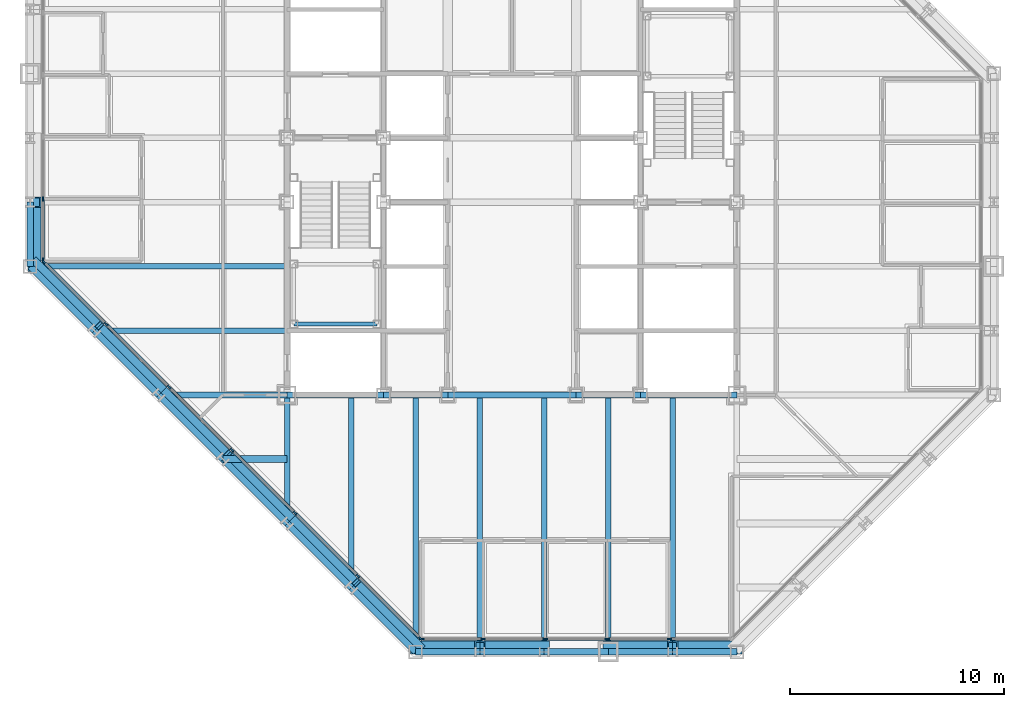
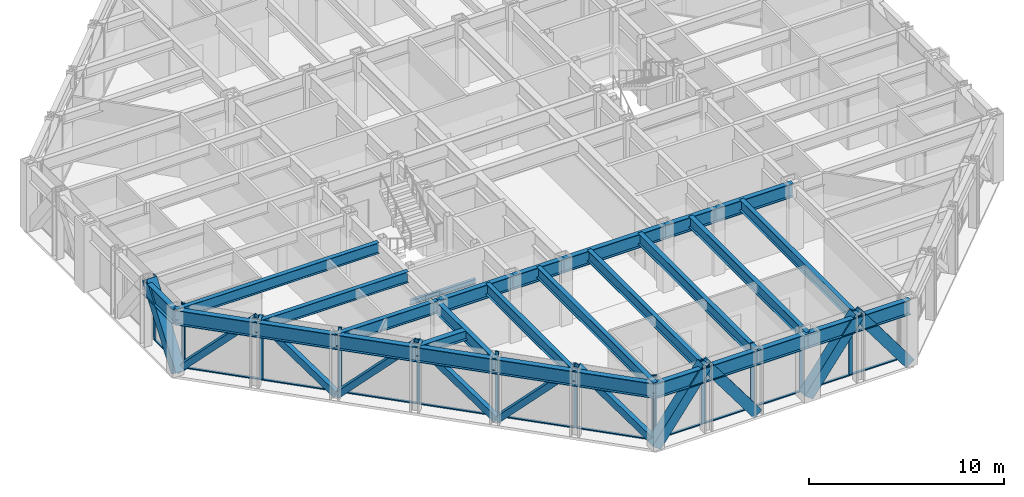
# One storey, part 4 of 15: 37 members, 29 beams, 3 elements without a shape of their own.
"""IFC4 building model written with IfcOpenShell, lengths in metres."""

from ifc_helpers import new_model, si_unit, direction, frame, origin, origin_2d, place, context, subcontext, project, spatial, rectangle, hollow_rectangle, i_section, extrude, material, layer, layer_set, material_profile, profile_set, type_object, element, aggregate, save


model = new_model("IFC4")

# Units and contexts
model_context = context("Model", 3, precision=1e-05, world=origin(), true_north=direction((0.0, 1.0)))
body_context = subcontext(model_context, "Body", "Model", "MODEL_VIEW")
ifc_project = project(units=[si_unit("LENGTHUNIT", "METRE"), si_unit("AREAUNIT", "SQUARE_METRE"), si_unit("VOLUMEUNIT", "CUBIC_METRE"), si_unit("PLANEANGLEUNIT", "RADIAN"), si_unit("MASSUNIT", "GRAM", prefix="KILO")], contexts=[model_context])

# Site, building, storey
site_placement = place(None, origin())
site = spatial("IfcSite", under=ifc_project, at=site_placement, CompositionType="ELEMENT")
building_placement = place(site_placement, origin())
building = spatial("IfcBuilding", under=site, at=building_placement, Name="Chuquiago Exchange Tower", CompositionType="ELEMENT")
storey_placement = place(building_placement, frame((0.0, 0.0, 184.5)))
storey = spatial("IfcBuildingStorey", under=building, at=storey_placement, Name="L40", CompositionType="ELEMENT", Elevation=184.5)

# Beams
ifc_material_1 = material(Name="Steel ASTM A992", Category="steel")
ifc_material_profile_1 = material_profile(ifc_material_1, i_section(OverallWidth=0.25390625, OverallDepth=0.683349609375, WebThickness=0.012451171875, FlangeThickness=0.018798828125, at=origin_2d()), Name="W27X94")
ifc_profile_set_1 = profile_set([ifc_material_profile_1], Name="Steel ASTM A992")
beam_type_1 = type_object("IfcBeamType", Name="B1 W27X94", PredefinedType="BEAM", material=ifc_profile_set_1)
beam_1_placement = place(storey_placement, frame((15.0, 12.0, 3.698486328125), z_axis=(0.0, -1.0, 0.0), x_axis=(1.0, 0.0, 0.0)))
element("IfcBeam", 1, at=beam_1_placement, inside=storey, type_object=beam_type_1, Name="FB-L41-infill-15_12-15_3-0", PredefinedType="BEAM", context=body_context, shape_type="SweptSolid", body=[
    extrude(i_section(OverallWidth=0.25390625, OverallDepth=0.683349609375, WebThickness=0.012451171875, FlangeThickness=0.018798828125, at=origin_2d()), origin(), (0.0, 0.0, 1.0), 9.0),
])
for number, where, z_axis, x_axis, name in (
    (2, (18.0, 12.0, 3.698486328125), (0.0, -1.0, 0.0), (1.0, 0.0, 0.0), "FB-L41-infill-18_12-18_-0-0"),
    (3, (21.0, 12.0, 3.698486328125), (0.0, -1.0, 0.0), (1.0, 0.0, 0.0), "FB-L41-infill-21_12-21_-0-0"),
    (4, (24.0, 12.0, 3.698486328125), (0.0, -1.0, 0.0), (1.0, 0.0, 0.0), "FB-L41-infill-24_12-24_-0-0"),
    (5, (27.0, 12.0, 3.698486328125), (0.0, -1.0, 0.0), (1.0, 0.0, 0.0), "FB-L41-infill-27_12-27_-0-0"),
    (6, (30.0, 12.0, 3.698486328125), (0.0, -1.0, 0.0), (1.0, 0.0, 0.0), "FB-L41-infill-30_12-30_-0-0"),
):
    element("IfcBeam", number, at=place(storey_placement, frame(where, z_axis=z_axis, x_axis=x_axis)), inside=storey, type_object=beam_type_1, Name=name, PredefinedType="BEAM", context=body_context, shape_type="SweptSolid", body=[
        extrude(i_section(OverallWidth=0.25390625, OverallDepth=0.683349609375, WebThickness=0.012451171875, FlangeThickness=0.018798828125, at=origin_2d()), origin(), (0.0, 0.0, 1.0), 12.0),
    ])
beam_2_placement = place(storey_placement, frame((12.0, 15.0, 3.698486328125), z_axis=(-1.0, 0.0, 0.0), x_axis=(0.0, -1.0, 0.0)))
element("IfcBeam", 7, at=beam_2_placement, inside=storey, type_object=beam_type_1, Name="FB-L41-infill-12_15-3_15-0", PredefinedType="BEAM", context=body_context, shape_type="SweptSolid", body=[
    extrude(i_section(OverallWidth=0.25390625, OverallDepth=0.683349609375, WebThickness=0.012451171875, FlangeThickness=0.018798828125, at=origin_2d()), origin(), (0.0, 0.0, 1.0), 9.0),
])
beam_3_placement = place(storey_placement, frame((12.0, 18.0, 3.698486328125), z_axis=(-1.0, 0.0, 0.0), x_axis=(0.0, -1.0, 0.0)))
element("IfcBeam", 8, at=beam_3_placement, inside=storey, type_object=beam_type_1, Name="FB-L41-infill-12_18--0_18-0", PredefinedType="BEAM", context=body_context, shape_type="SweptSolid", body=[
    extrude(i_section(OverallWidth=0.25390625, OverallDepth=0.683349609375, WebThickness=0.012451171875, FlangeThickness=0.018798828125, at=origin_2d()), origin(), (0.0, 0.0, 1.0), 12.0),
])
ifc_material_2 = material(Name="Steel ASTM A992", Category="steel")
ifc_material_profile_2 = material_profile(ifc_material_2, i_section(OverallWidth=0.3251953125, OverallDepth=0.612060546875, WebThickness=0.0126953125, FlangeThickness=0.01904296875, at=origin_2d()), Name="W24X104")
ifc_profile_set_2 = profile_set([ifc_material_profile_2], Name="Steel ASTM A992")
beam_type_2 = type_object("IfcBeamType", Name="B2 W24X104", PredefinedType="BEAM", material=ifc_profile_set_2)
beam_4_placement = place(storey_placement, frame((12.0, 9.0, 3.73388671875), z_axis=(-1.0, 0.0, 0.0), x_axis=(0.0, -1.0, 0.0)))
element("IfcBeam", 9, at=beam_4_placement, inside=storey, type_object=beam_type_2, Name="FB-L41-corner-12_9-9_9-0", PredefinedType="BEAM", context=body_context, shape_type="SweptSolid", body=[
    extrude(i_section(OverallWidth=0.3251953125, OverallDepth=0.612060546875, WebThickness=0.0126953125, FlangeThickness=0.01904296875, at=origin_2d()), origin(), (0.0, 0.0, 1.0), 3.0),
])
ifc_material_3 = material(Name="Steel ASTM A992", Category="steel")
ifc_material_profile_3 = material_profile(ifc_material_3, i_section(OverallWidth=0.2919921875, OverallDepth=0.8583984375, WebThickness=0.01708984375, FlangeThickness=0.031005859375, at=origin_2d()), Name="W33X169")
ifc_profile_set_3 = profile_set([ifc_material_profile_3], Name="Steel ASTM A992")
beam_type_3 = type_object("IfcBeamType", Name="B3 W33X169", PredefinedType="BEAM", material=ifc_profile_set_3)
beam_5_placement = place(storey_placement, frame((12.0, 12.0, 3.610595703125), z_axis=(1.0, 0.0, 0.0), x_axis=(0.0, 1.0, 0.0)))
element("IfcBeam", 10, at=beam_5_placement, inside=storey, type_object=beam_type_3, Name="CB-L41-12_12-16.5_12", PredefinedType="BEAM", context=body_context, shape_type="SweptSolid", body=[
    extrude(i_section(OverallWidth=0.2919921875, OverallDepth=0.8583984375, WebThickness=0.01708984375, FlangeThickness=0.031005859375, at=origin_2d()), origin(), (0.0, 0.0, 1.0), 4.5),
])
beam_6_placement = place(storey_placement, frame((16.5, 12.0, 3.610595703125), z_axis=(1.0, 0.0, 0.0), x_axis=(0.0, 1.0, 0.0)))
element("IfcBeam", 11, at=beam_6_placement, inside=storey, type_object=beam_type_3, Name="CB-L41-16.5_12-19.5_12", PredefinedType="BEAM", context=body_context, shape_type="SweptSolid", body=[
    extrude(i_section(OverallWidth=0.2919921875, OverallDepth=0.8583984375, WebThickness=0.01708984375, FlangeThickness=0.031005859375, at=origin_2d()), origin(), (0.0, 0.0, 1.0), 3.0),
])
beam_7_placement = place(storey_placement, frame((19.5, 12.0, 3.610595703125), z_axis=(1.0, 0.0, 0.0), x_axis=(0.0, 1.0, 0.0)))
element("IfcBeam", 12, at=beam_7_placement, inside=storey, type_object=beam_type_3, Name="CB-L41-19.5_12-25.5_12", PredefinedType="BEAM", context=body_context, shape_type="SweptSolid", body=[
    extrude(i_section(OverallWidth=0.2919921875, OverallDepth=0.8583984375, WebThickness=0.01708984375, FlangeThickness=0.031005859375, at=origin_2d()), origin(), (0.0, 0.0, 1.0), 6.0),
])
beam_8_placement = place(storey_placement, frame((25.5, 12.0, 3.610595703125), z_axis=(1.0, 0.0, 0.0), x_axis=(0.0, 1.0, 0.0)))
element("IfcBeam", 13, at=beam_8_placement, inside=storey, type_object=beam_type_3, Name="CB-L41-25.5_12-28.5_12", PredefinedType="BEAM", context=body_context, shape_type="SweptSolid", body=[
    extrude(i_section(OverallWidth=0.2919921875, OverallDepth=0.8583984375, WebThickness=0.01708984375, FlangeThickness=0.031005859375, at=origin_2d()), origin(), (0.0, 0.0, 1.0), 3.0),
])
beam_9_placement = place(storey_placement, frame((28.5, 12.0, 3.610595703125), z_axis=(1.0, 0.0, 0.0), x_axis=(0.0, 1.0, 0.0)))
element("IfcBeam", 14, at=beam_9_placement, inside=storey, type_object=beam_type_3, Name="CB-L41-28.5_12-33_12", PredefinedType="BEAM", context=body_context, shape_type="SweptSolid", body=[
    extrude(i_section(OverallWidth=0.2919921875, OverallDepth=0.8583984375, WebThickness=0.01708984375, FlangeThickness=0.031005859375, at=origin_2d()), origin(), (0.0, 0.0, 1.0), 4.5),
])

# Curtain wall, members
ifc_material_4 = material(Name="Aluminium curtain wall system", Category="aluminium")
ifc_layer_1 = layer(ifc_material_4, 0.22509765625)
ifc_layer_set_1 = layer_set([ifc_layer_1], Name="CW2 office curtain wall")
curtain_wall_type_1 = type_object("IfcCurtainWallType", Name="CW2 office curtain wall", PredefinedType="NOTDEFINED", material=ifc_layer_set_1)
curtain_wall_1_placement = place(storey_placement, origin())
curtain_wall_1 = element("IfcCurtainWall", 15, at=curtain_wall_1_placement, inside=storey, type_object=curtain_wall_type_1, Name="CW2 curtain wall L40", PredefinedType="NOTDEFINED")
ifc_material_5 = material(Name="Aluminium mullion, pale anodised", Category="aluminium")
ifc_material_profile_4 = material_profile(ifc_material_5, rectangle(XDim=0.06494140625, YDim=0.22509765625, at=origin_2d()), Name="AL 65x225")
ifc_profile_set_4 = profile_set([ifc_material_profile_4], Name="Aluminium mullion, pale anodised")
member_type_1 = type_object("IfcMemberType", Name="CW2-M mullion 65x225", PredefinedType="MULLION", material=ifc_profile_set_4)
member_1_placement = place(storey_placement, frame((18.281005859375, 0.60009765625, 0.0), z_axis=(0.0, 0.0, 1.0), x_axis=(0.0, 1.0, 0.0)))
member_1 = element("IfcMember", 16, at=member_1_placement, type_object=member_type_1, Name="CW2 mullion 1", PredefinedType="MULLION", context=body_context, shape_type="SweptSolid", body=[
    extrude(rectangle(XDim=0.06494140625, YDim=0.22509765625, at=origin_2d()), origin(), (0.0, 0.0, 1.0), 4.0400390625),
])
member_2_placement = place(storey_placement, frame((21.149169921875, 0.60009765625, 0.0), z_axis=(0.0, 0.0, 1.0), x_axis=(0.0, 1.0, 0.0)))
member_2 = element("IfcMember", 17, at=member_2_placement, type_object=member_type_1, Name="CW2 mullion 2", PredefinedType="MULLION", context=body_context, shape_type="SweptSolid", body=[
    extrude(rectangle(XDim=0.06494140625, YDim=0.22509765625, at=origin_2d()), origin(), (0.0, 0.0, 1.0), 4.0400390625),
])
member_3_placement = place(storey_placement, frame((24.0498046875, 0.60009765625, 0.0), z_axis=(0.0, 0.0, 1.0), x_axis=(0.0, 1.0, 0.0)))
member_3 = element("IfcMember", 18, at=member_3_placement, type_object=member_type_1, Name="CW2 mullion 3", PredefinedType="MULLION", context=body_context, shape_type="SweptSolid", body=[
    extrude(rectangle(XDim=0.06494140625, YDim=0.22509765625, at=origin_2d()), origin(), (0.0, 0.0, 1.0), 4.0400390625),
])
member_4_placement = place(storey_placement, frame((26.9501953125, 0.60009765625, 0.0), z_axis=(0.0, 0.0, 1.0), x_axis=(0.0, 1.0, 0.0)))
member_4 = element("IfcMember", 19, at=member_4_placement, type_object=member_type_1, Name="CW2 mullion 4", PredefinedType="MULLION", context=body_context, shape_type="SweptSolid", body=[
    extrude(rectangle(XDim=0.06494140625, YDim=0.22509765625, at=origin_2d()), origin(), (0.0, 0.0, 1.0), 4.0400390625),
])
member_5_placement = place(storey_placement, frame((29.850830078125, 0.60009765625, 0.0), z_axis=(0.0, 0.0, 1.0), x_axis=(0.0, 1.0, 0.0)))
member_5 = element("IfcMember", 20, at=member_5_placement, type_object=member_type_1, Name="CW2 mullion 5", PredefinedType="MULLION", context=body_context, shape_type="SweptSolid", body=[
    extrude(rectangle(XDim=0.06494140625, YDim=0.22509765625, at=origin_2d()), origin(), (0.0, 0.0, 1.0), 4.0400390625),
])

curtain_wall_2_placement = place(storey_placement, origin())
curtain_wall_2 = element("IfcCurtainWall", 21, at=curtain_wall_2_placement, inside=storey, type_object=curtain_wall_type_1, Name="CW2 curtain wall L40", PredefinedType="NOTDEFINED")
member_6_placement = place(storey_placement, frame((0.60009765625, 21.149169921875, 0.0), z_axis=(0.0, 0.0, 1.0), x_axis=(1.0, 0.0, 0.0)))
member_6 = element("IfcMember", 22, at=member_6_placement, type_object=member_type_1, Name="CW2 mullion 5", PredefinedType="MULLION", context=body_context, shape_type="SweptSolid", body=[
    extrude(rectangle(XDim=0.06494140625, YDim=0.22509765625, at=origin_2d()), origin(), (0.0, 0.0, 1.0), 4.0400390625),
])
member_7_placement = place(storey_placement, frame((0.60009765625, 18.281005859375, 0.0), z_axis=(0.0, 0.0, 1.0), x_axis=(1.0, 0.0, 0.0)))
member_7 = element("IfcMember", 23, at=member_7_placement, type_object=member_type_1, Name="CW2 mullion 6", PredefinedType="MULLION", context=body_context, shape_type="SweptSolid", body=[
    extrude(rectangle(XDim=0.06494140625, YDim=0.22509765625, at=origin_2d()), origin(), (0.0, 0.0, 1.0), 4.0400390625),
])

# Member
ifc_material_6 = material(Name="Aluminium transom, pale anodised", Category="aluminium")
ifc_material_profile_5 = material_profile(ifc_material_6, rectangle(XDim=0.139892578125, YDim=0.06494140625, at=origin_2d()), Name="AL 140x65")
ifc_profile_set_5 = profile_set([ifc_material_profile_5], Name="Aluminium transom, pale anodised")
member_type_2 = type_object("IfcMemberType", Name="CW2-T transom 65x140", PredefinedType="MULLION", material=ifc_profile_set_5)
member_8_placement = place(storey_placement, frame((18.3134765625, 0.60009765625, 0.032470703125), z_axis=(1.0, 0.0, 0.0), x_axis=(0.0, 1.0, 0.0)))
member_8 = element("IfcMember", 24, at=member_8_placement, type_object=member_type_2, Name="CW2 transom 1.1", PredefinedType="MULLION", context=body_context, shape_type="SweptSolid", body=[
    extrude(rectangle(XDim=0.139892578125, YDim=0.06494140625, at=origin_2d()), origin(), (0.0, 0.0, 1.0), 2.80322265625),
])

member_9_placement = place(storey_placement, frame((21.181640625, 0.60009765625, 0.032470703125), z_axis=(1.0, 0.0, 0.0), x_axis=(0.0, 1.0, 0.0)))
member_9 = element("IfcMember", 25, at=member_9_placement, type_object=member_type_2, Name="CW2 transom 2.1", PredefinedType="MULLION", context=body_context, shape_type="SweptSolid", body=[
    extrude(rectangle(XDim=0.139892578125, YDim=0.06494140625, at=origin_2d()), origin(), (0.0, 0.0, 1.0), 2.83544921875),
])

member_10_placement = place(storey_placement, frame((24.082275390625, 0.60009765625, 0.032470703125), z_axis=(1.0, 0.0, 0.0), x_axis=(0.0, 1.0, 0.0)))
member_10 = element("IfcMember", 26, at=member_10_placement, type_object=member_type_2, Name="CW2 transom 3.1", PredefinedType="MULLION", context=body_context, shape_type="SweptSolid", body=[
    extrude(rectangle(XDim=0.139892578125, YDim=0.06494140625, at=origin_2d()), origin(), (0.0, 0.0, 1.0), 2.83544921875),
])

member_11_placement = place(storey_placement, frame((26.98291015625, 0.60009765625, 0.032470703125), z_axis=(1.0, 0.0, 0.0), x_axis=(0.0, 1.0, 0.0)))
member_11 = element("IfcMember", 27, at=member_11_placement, type_object=member_type_2, Name="CW2 transom 4.1", PredefinedType="MULLION", context=body_context, shape_type="SweptSolid", body=[
    extrude(rectangle(XDim=0.139892578125, YDim=0.06494140625, at=origin_2d()), origin(), (0.0, 0.0, 1.0), 2.83544921875),
])

member_12_placement = place(storey_placement, frame((29.88330078125, 0.60009765625, 0.032470703125), z_axis=(1.0, 0.0, 0.0), x_axis=(0.0, 1.0, 0.0)))
member_12 = element("IfcMember", 28, at=member_12_placement, type_object=member_type_2, Name="CW2 transom 5.1", PredefinedType="MULLION", context=body_context, shape_type="SweptSolid", body=[
    extrude(rectangle(XDim=0.139892578125, YDim=0.06494140625, at=origin_2d()), origin(), (0.0, 0.0, 1.0), 2.80322265625),
])

aggregate(curtain_wall_1, [member_1, member_2, member_3, member_4, member_5, member_8, member_9, member_10, member_11, member_12])

member_13_placement = place(storey_placement, frame((0.60009765625, 21.11669921875, 0.032470703125), z_axis=(0.0, -1.0, 0.0), x_axis=(1.0, 0.0, 0.0)))
member_13 = element("IfcMember", 29, at=member_13_placement, type_object=member_type_2, Name="CW2 transom 5.1", PredefinedType="MULLION", context=body_context, shape_type="SweptSolid", body=[
    extrude(rectangle(XDim=0.139892578125, YDim=0.06494140625, at=origin_2d()), origin(), (0.0, 0.0, 1.0), 2.80322265625),
])

aggregate(curtain_wall_2, [member_6, member_7, member_13])

# Curtain wall, members
ifc_material_7 = material(Name="Aluminium curtain wall system", Category="aluminium")
ifc_layer_2 = layer(ifc_material_7, 0.199951171875)
ifc_layer_set_2 = layer_set([ifc_layer_2], Name="CW3 facet curtain wall")
curtain_wall_type_2 = type_object("IfcCurtainWallType", Name="CW3 facet curtain wall", PredefinedType="NOTDEFINED", material=ifc_layer_set_2)
curtain_wall_3_placement = place(storey_placement, origin())
curtain_wall_3 = element("IfcCurtainWall", 30, at=curtain_wall_3_placement, inside=storey, type_object=curtain_wall_type_2, Name="CW3 curtain wall L40", PredefinedType="NOTDEFINED")
ifc_material_8 = material(Name="Aluminium mullion, pale anodised", Category="aluminium")
ifc_material_profile_6 = material_profile(ifc_material_8, rectangle(XDim=0.06494140625, YDim=0.199951171875, at=origin_2d()), Name="AL 65x200")
ifc_profile_set_6 = profile_set([ifc_material_profile_6], Name="Aluminium mullion, pale anodised")
member_type_3 = type_object("IfcMemberType", Name="CW3-M mullion 65x200", PredefinedType="MULLION", material=ifc_profile_set_6)
member_14_placement = place(storey_placement, frame((0.623046875, 18.2255859375, 0.0), z_axis=(0.0, 0.0, 1.0), x_axis=(0.707106781187, 0.707106781187, 0.0)))
member_14 = element("IfcMember", 31, at=member_14_placement, type_object=member_type_3, Name="CW3 mullion 1", PredefinedType="MULLION", context=body_context, shape_type="SweptSolid", body=[
    extrude(rectangle(XDim=0.06494140625, YDim=0.199951171875, at=origin_2d()), origin(), (0.0, 0.0, 1.0), 4.0400390625),
])
member_15_placement = place(storey_placement, frame((3.54150390625, 15.30712890625, 0.0), z_axis=(0.0, 0.0, 1.0), x_axis=(0.707106781187, 0.707106781187, 0.0)))
member_15 = element("IfcMember", 32, at=member_15_placement, type_object=member_type_3, Name="CW3 mullion 2", PredefinedType="MULLION", context=body_context, shape_type="SweptSolid", body=[
    extrude(rectangle(XDim=0.06494140625, YDim=0.199951171875, at=origin_2d()), origin(), (0.0, 0.0, 1.0), 4.0400390625),
])
member_16_placement = place(storey_placement, frame((6.48291015625, 12.36572265625, 0.0), z_axis=(0.0, 0.0, 1.0), x_axis=(0.707106781187, 0.707106781187, 0.0)))
member_16 = element("IfcMember", 33, at=member_16_placement, type_object=member_type_3, Name="CW3 mullion 3", PredefinedType="MULLION", context=body_context, shape_type="SweptSolid", body=[
    extrude(rectangle(XDim=0.06494140625, YDim=0.199951171875, at=origin_2d()), origin(), (0.0, 0.0, 1.0), 4.0400390625),
])
member_17_placement = place(storey_placement, frame((9.42431640625, 9.42431640625, 0.0), z_axis=(0.0, 0.0, 1.0), x_axis=(0.707106781187, 0.707106781187, 0.0)))
member_17 = element("IfcMember", 34, at=member_17_placement, type_object=member_type_3, Name="CW3 mullion 4", PredefinedType="MULLION", context=body_context, shape_type="SweptSolid", body=[
    extrude(rectangle(XDim=0.06494140625, YDim=0.199951171875, at=origin_2d()), origin(), (0.0, 0.0, 1.0), 4.0400390625),
])
member_18_placement = place(storey_placement, frame((12.36572265625, 6.48291015625, 0.0), z_axis=(0.0, 0.0, 1.0), x_axis=(0.707106781187, 0.707106781187, 0.0)))
member_18 = element("IfcMember", 35, at=member_18_placement, type_object=member_type_3, Name="CW3 mullion 5", PredefinedType="MULLION", context=body_context, shape_type="SweptSolid", body=[
    extrude(rectangle(XDim=0.06494140625, YDim=0.199951171875, at=origin_2d()), origin(), (0.0, 0.0, 1.0), 4.0400390625),
])
member_19_placement = place(storey_placement, frame((15.30712890625, 3.54150390625, 0.0), z_axis=(0.0, 0.0, 1.0), x_axis=(0.707106781187, 0.707106781187, 0.0)))
member_19 = element("IfcMember", 36, at=member_19_placement, type_object=member_type_3, Name="CW3 mullion 6", PredefinedType="MULLION", context=body_context, shape_type="SweptSolid", body=[
    extrude(rectangle(XDim=0.06494140625, YDim=0.199951171875, at=origin_2d()), origin(), (0.0, 0.0, 1.0), 4.0400390625),
])
member_20_placement = place(storey_placement, frame((18.2255859375, 0.623046875, 0.0), z_axis=(0.0, 0.0, 1.0), x_axis=(0.707106781187, 0.707106781187, 0.0)))
member_20 = element("IfcMember", 37, at=member_20_placement, type_object=member_type_3, Name="CW3 mullion 7", PredefinedType="MULLION", context=body_context, shape_type="SweptSolid", body=[
    extrude(rectangle(XDim=0.06494140625, YDim=0.199951171875, at=origin_2d()), origin(), (0.0, 0.0, 1.0), 4.0400390625),
])
ifc_material_9 = material(Name="Aluminium transom, pale anodised", Category="aluminium")
ifc_material_profile_7 = material_profile(ifc_material_9, rectangle(XDim=0.139892578125, YDim=0.06494140625, at=origin_2d()), Name="AL 140x65")
ifc_profile_set_7 = profile_set([ifc_material_profile_7], Name="Aluminium transom, pale anodised")
member_type_4 = type_object("IfcMemberType", Name="CW3-T transom 65x140", PredefinedType="MULLION", material=ifc_profile_set_7)
member_21_placement = place(storey_placement, frame((0.64599609375, 18.20263671875, 0.032470703125), z_axis=(0.707106781187, -0.707106781187, 0.0), x_axis=(0.707106781187, 0.707106781187, 0.0)))
member_21 = element("IfcMember", 38, at=member_21_placement, type_object=member_type_4, Name="CW3 transom 1.1", PredefinedType="MULLION", context=body_context, shape_type="SweptSolid", body=[
    extrude(rectangle(XDim=0.139892578125, YDim=0.06494140625, at=origin_2d()), origin(), (0.0, 0.0, 1.0), 4.0625),
])
member_22_placement = place(storey_placement, frame((3.564453125, 15.2841796875, 0.032470703125), z_axis=(0.707106781187, -0.707106781187, 0.0), x_axis=(0.707106781187, 0.707106781187, 0.0)))
member_22 = element("IfcMember", 39, at=member_22_placement, type_object=member_type_4, Name="CW3 transom 2.1", PredefinedType="MULLION", context=body_context, shape_type="SweptSolid", body=[
    extrude(rectangle(XDim=0.139892578125, YDim=0.06494140625, at=origin_2d()), origin(), (0.0, 0.0, 1.0), 4.094970703125),
])
member_23_placement = place(storey_placement, frame((6.505859375, 12.3427734375, 0.032470703125), z_axis=(0.707106781187, -0.707106781187, 0.0), x_axis=(0.707106781187, 0.707106781187, 0.0)))
member_23 = element("IfcMember", 40, at=member_23_placement, type_object=member_type_4, Name="CW3 transom 3.1", PredefinedType="MULLION", context=body_context, shape_type="SweptSolid", body=[
    extrude(rectangle(XDim=0.139892578125, YDim=0.06494140625, at=origin_2d()), origin(), (0.0, 0.0, 1.0), 4.094970703125),
])
member_24_placement = place(storey_placement, frame((9.447265625, 9.4013671875, 0.032470703125), z_axis=(0.707106781187, -0.707106781187, 0.0), x_axis=(0.707106781187, 0.707106781187, 0.0)))
member_24 = element("IfcMember", 41, at=member_24_placement, type_object=member_type_4, Name="CW3 transom 4.1", PredefinedType="MULLION", context=body_context, shape_type="SweptSolid", body=[
    extrude(rectangle(XDim=0.139892578125, YDim=0.06494140625, at=origin_2d()), origin(), (0.0, 0.0, 1.0), 4.094970703125),
])
member_25_placement = place(storey_placement, frame((12.388671875, 6.4599609375, 0.032470703125), z_axis=(0.707106781187, -0.707106781187, 0.0), x_axis=(0.707106781187, 0.707106781187, 0.0)))
member_25 = element("IfcMember", 42, at=member_25_placement, type_object=member_type_4, Name="CW3 transom 5.1", PredefinedType="MULLION", context=body_context, shape_type="SweptSolid", body=[
    extrude(rectangle(XDim=0.139892578125, YDim=0.06494140625, at=origin_2d()), origin(), (0.0, 0.0, 1.0), 4.094970703125),
])
member_26_placement = place(storey_placement, frame((15.330078125, 3.5185546875, 0.032470703125), z_axis=(0.707106781187, -0.707106781187, 0.0), x_axis=(0.707106781187, 0.707106781187, 0.0)))
member_26 = element("IfcMember", 43, at=member_26_placement, type_object=member_type_4, Name="CW3 transom 6.1", PredefinedType="MULLION", context=body_context, shape_type="SweptSolid", body=[
    extrude(rectangle(XDim=0.139892578125, YDim=0.06494140625, at=origin_2d()), origin(), (0.0, 0.0, 1.0), 4.0625),
])
aggregate(curtain_wall_3, [member_14, member_15, member_16, member_17, member_18, member_19, member_20, member_21, member_22, member_23, member_24, member_25, member_26])

# Beams
ifc_material_10 = material(Name="Steel ASTM A992", Category="steel")
ifc_material_profile_8 = material_profile(ifc_material_10, i_section(OverallWidth=0.2666015625, OverallDepth=0.76953125, WebThickness=0.015625, FlangeThickness=0.025390625, at=origin_2d()), Name="W30X132")
ifc_profile_set_8 = profile_set([ifc_material_profile_8], Name="Steel ASTM A992")
beam_type_4 = type_object("IfcBeamType", Name="G1 W30X132", PredefinedType="BEAM", material=ifc_profile_set_8)
for number, where, z_axis, x_axis, name in (
    (44, (12.0, 12.0, 3.6552734375), (0.0, -1.0, 0.0), (1.0, 0.0, 0.0), "FB-L41-girder-12_12-12_6-0"),
    (45, (12.0, 12.0, 3.6552734375), (-1.0, 0.0, 0.0), (0.0, -1.0, 0.0), "FB-L41-girder-12_12-6_12-0"),
):
    element("IfcBeam", number, at=place(storey_placement, frame(where, z_axis=z_axis, x_axis=x_axis)), inside=storey, type_object=beam_type_4, Name=name, PredefinedType="BEAM", context=body_context, shape_type="SweptSolid", body=[
        extrude(i_section(OverallWidth=0.2666015625, OverallDepth=0.76953125, WebThickness=0.015625, FlangeThickness=0.025390625, at=origin_2d()), origin(), (0.0, 0.0, 1.0), 6.0),
    ])

# Members
ifc_material_11 = material(Name="Steel ASTM A500 Grade C", Category="steel")
ifc_material_profile_9 = material_profile(ifc_material_11, hollow_rectangle(XDim=0.355712890625, YDim=0.355712890625, WallThickness=0.0146484375, at=origin_2d()), Name="HSS14X14X5/8")
ifc_profile_set_9 = profile_set([ifc_material_profile_9], Name="Steel ASTM A500 Grade C")
member_type_5 = type_object("IfcMemberType", Name="LB2 HSS14X14X5/8", PredefinedType="BRACE", material=ifc_profile_set_9)
for number, where, z_axis, x_axis, name in (
    (46, (0.2314453125, 18.2314453125, 0.0), (0.512077265487, -0.512077265487, 0.689604051861), (0.707106781187, 0.707106781187, 0.0), "LB-L40-0_18-3_15"),
    (47, (6.2314453125, 12.2314453125, 0.0), (-0.512077265487, 0.512077265487, 0.689604051861), (-0.707106781187, -0.707106781187, 0.0), "LB-L40-3_15-6_12"),
    (48, (6.2314453125, 12.2314453125, 0.0), (0.512077265487, -0.512077265487, 0.689604051861), (0.707106781187, 0.707106781187, 0.0), "LB-L40-6_12-9_9"),
    (49, (12.2314453125, 6.2314453125, 0.0), (-0.512077265487, 0.512077265487, 0.689604051861), (-0.707106781187, -0.707106781187, 0.0), "LB-L40-9_9-12_6"),
    (50, (12.2314453125, 6.2314453125, 0.0), (0.512077265487, -0.512077265487, 0.689604051861), (0.707106781187, 0.707106781187, 0.0), "LB-L40-12_6-15_3"),
    (51, (18.2314453125, 0.2314453125, 0.0), (-0.512077265487, 0.512077265487, 0.689604051861), (-0.707106781187, -0.707106781187, 0.0), "LB-L40-15_3-18_0"),
):
    element("IfcMember", number, at=place(storey_placement, frame(where, z_axis=z_axis, x_axis=x_axis)), inside=storey, type_object=member_type_5, Name=name, PredefinedType="BRACE", context=body_context, shape_type="SweptSolid", body=[
        extrude(hollow_rectangle(XDim=0.355712890625, YDim=0.355712890625, WallThickness=0.0146484375, at=origin_2d()), origin(), (0.0, 0.0, 1.0), 5.8583984375),
    ])

# Beam
ifc_material_12 = material(Name="Steel ASTM A992", Category="steel")
ifc_material_profile_10 = material_profile(ifc_material_12, i_section(OverallWidth=0.164794921875, OverallDepth=0.309814453125, WebThickness=0.005859375, FlangeThickness=0.009765625, at=origin_2d()), Name="W12X26")
ifc_profile_set_10 = profile_set([ifc_material_profile_10], Name="Steel ASTM A992")
beam_type_5 = type_object("IfcBeamType", Name="LT1 W12X26", PredefinedType="BEAM", material=ifc_profile_set_10)
beam_10_placement = place(storey_placement, frame((12.31005859375, 15.31005859375, 1.7451171875), z_axis=(1.0, 0.0, 0.0), x_axis=(0.0, 1.0, 0.0)))
element("IfcBeam", 52, at=beam_10_placement, inside=storey, type_object=beam_type_5, Name="Stair ST1 L40 landing 1 trimmer", PredefinedType="BEAM", context=body_context, shape_type="SweptSolid", body=[
    extrude(i_section(OverallWidth=0.164794921875, OverallDepth=0.309814453125, WebThickness=0.005859375, FlangeThickness=0.009765625, at=origin_2d()), origin(), (0.0, 0.0, 1.0), 3.8798828125),
])

# Members
ifc_material_13 = material(Name="Steel ASTM A572 Grade 50", Category="steel")
ifc_material_profile_11 = material_profile(ifc_material_13, hollow_rectangle(XDim=0.60009765625, YDim=0.60009765625, WallThickness=0.06005859375, at=origin_2d()), Name="BOX600X600X60")
ifc_profile_set_11 = profile_set([ifc_material_profile_11], Name="Steel ASTM A572 Grade 50")
member_type_6 = type_object("IfcMemberType", Name="MB3 BOX600X600X60", PredefinedType="BRACE", material=ifc_profile_set_11)
for number, where, z_axis, x_axis, name in (
    (53, (18.0, 0.205078125, 0.0), (0.596173923302, 0.0, 0.802855312728), (0.0, 1.0, 0.0), "Mega diagonal L40 S face"),
    (54, (24.0, 0.205078125, 0.0), (-0.596173923302, 0.0, 0.802855312728), (0.0, -1.0, 0.0), "Mega diagonal L40 S face"),
    (55, (27.0, 0.205078125, 0.0), (0.596173923302, 0.0, 0.802855312728), (0.0, 1.0, 0.0), "Mega diagonal L40 S face"),
    (56, (33.0, 0.205078125, 0.0), (-0.596173923302, 0.0, 0.802855312728), (0.0, -1.0, 0.0), "Mega diagonal L40 S face"),
    (57, (0.205078125, 18.0, 0.0), (0.0, 0.596173923302, 0.802855312728), (-1.0, 0.0, 0.0), "Mega diagonal L40 W face"),
):
    element("IfcMember", number, at=place(storey_placement, frame(where, z_axis=z_axis, x_axis=x_axis)), inside=storey, type_object=member_type_6, Name=name, PredefinedType="BRACE", context=body_context, shape_type="SweptSolid", body=[
        extrude(hollow_rectangle(XDim=0.60009765625, YDim=0.60009765625, WallThickness=0.06005859375, at=origin_2d()), origin(), (0.0, 0.0, 1.0), 5.031982421875),
    ])

# Beams
ifc_material_14 = material(Name="Steel ASTM A992", Category="steel")
ifc_material_profile_12 = material_profile(ifc_material_14, i_section(OverallWidth=0.307373046875, OverallDepth=0.927001953125, WebThickness=0.01953125, FlangeThickness=0.031982421875, at=origin_2d()), Name="W36X194")
ifc_profile_set_12 = profile_set([ifc_material_profile_12], Name="Steel ASTM A992")
beam_type_6 = type_object("IfcBeamType", Name="SP3 W36X194", PredefinedType="SPANDREL", material=ifc_profile_set_12)
for number, where, z_axis, x_axis, name in (
    (58, (18.0, 0.0, 3.576416015625), (1.0, 0.0, 0.0), (0.0, 1.0, 0.0), "SPB-L41-18_0-21_0"),
    (59, (21.0, 0.0, 3.576416015625), (1.0, 0.0, 0.0), (0.0, 1.0, 0.0), "SPB-L41-21_0-24_0"),
    (60, (24.0, 0.0, 3.576416015625), (1.0, 0.0, 0.0), (0.0, 1.0, 0.0), "SPB-L41-24_0-27_0"),
    (61, (27.0, 0.0, 3.576416015625), (1.0, 0.0, 0.0), (0.0, 1.0, 0.0), "SPB-L41-27_0-30_0"),
    (62, (30.0, 0.0, 3.576416015625), (1.0, 0.0, 0.0), (0.0, 1.0, 0.0), "SPB-L41-30_0-33_0"),
    (63, (0.0, 21.0, 3.576416015625), (0.0, -1.0, 0.0), (1.0, 0.0, 0.0), "SPB-L41-0_21-0_18"),
):
    element("IfcBeam", number, at=place(storey_placement, frame(where, z_axis=z_axis, x_axis=x_axis)), inside=storey, type_object=beam_type_6, Name=name, PredefinedType="SPANDREL", context=body_context, shape_type="SweptSolid", body=[
        extrude(i_section(OverallWidth=0.307373046875, OverallDepth=0.927001953125, WebThickness=0.01953125, FlangeThickness=0.031982421875, at=origin_2d()), origin(), (0.0, 0.0, 1.0), 3.0),
    ])
for number, where, z_axis, x_axis, name in (
    (64, (0.0, 18.0, 3.576416015625), (0.707106781187, -0.707106781187, 0.0), (0.707106781187, 0.707106781187, 0.0), "SPB-L41-0_18-3_15"),
    (65, (3.0, 15.0, 3.576416015625), (0.707106781187, -0.707106781187, 0.0), (0.707106781187, 0.707106781187, 0.0), "SPB-L41-3_15-6_12"),
    (66, (6.0, 12.0, 3.576416015625), (0.707106781187, -0.707106781187, 0.0), (0.707106781187, 0.707106781187, 0.0), "SPB-L41-6_12-9_9"),
    (67, (9.0, 9.0, 3.576416015625), (0.707106781187, -0.707106781187, 0.0), (0.707106781187, 0.707106781187, 0.0), "SPB-L41-9_9-12_6"),
    (68, (12.0, 6.0, 3.576416015625), (0.707106781187, -0.707106781187, 0.0), (0.707106781187, 0.707106781187, 0.0), "SPB-L41-12_6-15_3"),
    (69, (15.0, 3.0, 3.576416015625), (0.707106781187, -0.707106781187, 0.0), (0.707106781187, 0.707106781187, 0.0), "SPB-L41-15_3-18_0"),
):
    element("IfcBeam", number, at=place(storey_placement, frame(where, z_axis=z_axis, x_axis=x_axis)), inside=storey, type_object=beam_type_6, Name=name, PredefinedType="SPANDREL", context=body_context, shape_type="SweptSolid", body=[
        extrude(i_section(OverallWidth=0.307373046875, OverallDepth=0.927001953125, WebThickness=0.01953125, FlangeThickness=0.031982421875, at=origin_2d()), origin(), (0.0, 0.0, 1.0), 4.24267578125),
    ])

save(model, "model.ifc")
